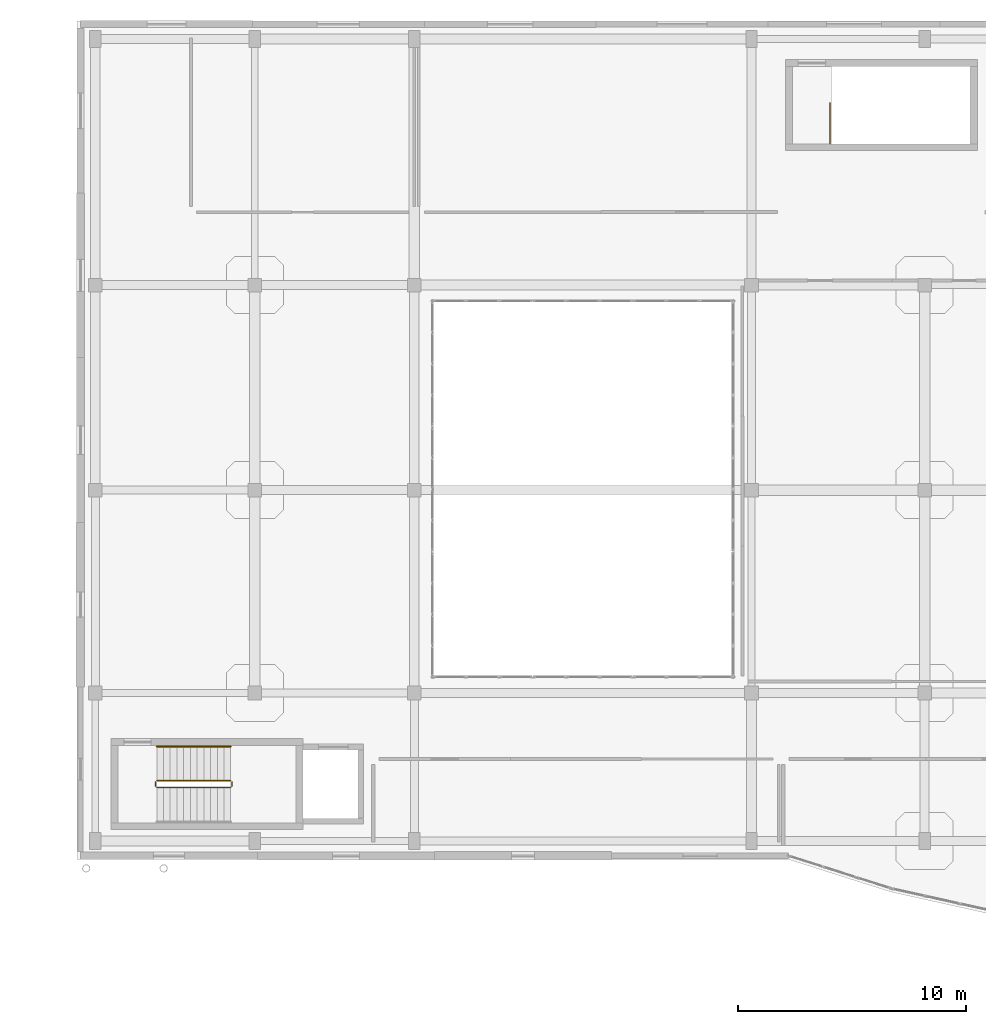
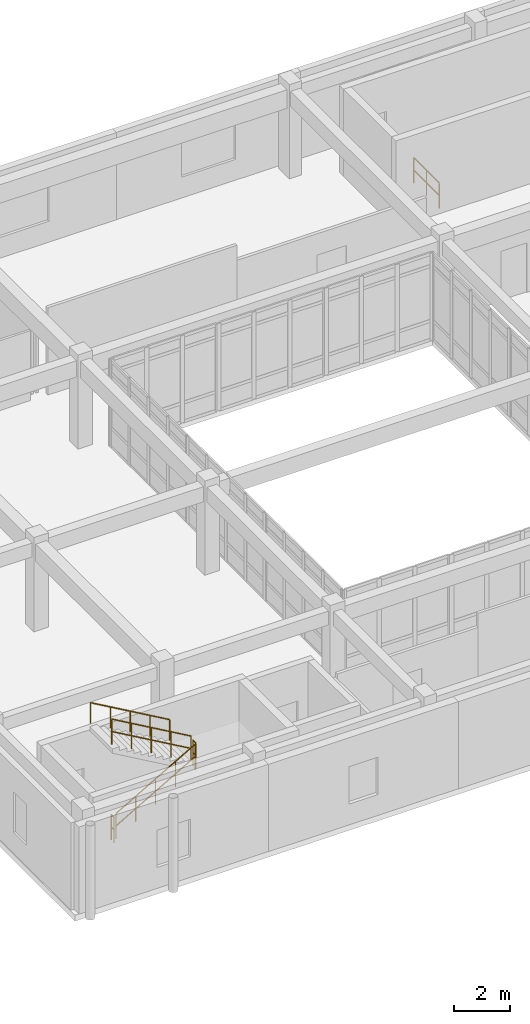
# One storey, part 90 of 91: 6 railings.
"""IFC4 building model written with IfcOpenShell, lengths in metres."""

from ifc_helpers import new_model, si_unit, direction, frame, origin, origin_2d, place, context, subcontext, project, spatial, circle, extrude, material, type_object, element, save


model = new_model("IFC4")

# Units and contexts
model_context = context("Model", 3, precision=1e-05, world=origin(), true_north=direction((0.0, 1.0)))
body_context = subcontext(model_context, "Body", "Model", "MODEL_VIEW")
ifc_project = project(units=[si_unit("LENGTHUNIT", "METRE"), si_unit("AREAUNIT", "SQUARE_METRE"), si_unit("VOLUMEUNIT", "CUBIC_METRE"), si_unit("PLANEANGLEUNIT", "RADIAN"), si_unit("MASSUNIT", "GRAM", prefix="KILO")], contexts=[model_context])

# Site, building, storey
site_placement = place(None, origin())
site = spatial("IfcSite", under=ifc_project, at=site_placement, CompositionType="ELEMENT")
building_placement = place(site_placement, origin())
building = spatial("IfcBuilding", under=site, at=building_placement, Name="Valcora Specialist Clinic", CompositionType="ELEMENT")
storey_placement = place(building_placement, frame((0.0, 0.0, 13.60009765625)))
storey = spatial("IfcBuildingStorey", under=building, at=storey_placement, Name="L03", CompositionType="ELEMENT", Elevation=13.60009765625)

# Railings
ifc_material = material(Name="Stainless Steel AISI 316", Category="steel")
railing_type_1 = type_object("IfcRailingType", Name="TY-RL-GRD112", PredefinedType="GUARDRAIL", material=ifc_material)
railing_1_placement = place(storey_placement, frame((64.699951171875, 77.14990234375, 0.169921875)))
element("IfcRailing", 1, at=railing_1_placement, inside=storey, type_object=railing_type_1, Name="L03 ST-V4A stair guard 1", PredefinedType="GUARDRAIL", context=body_context, shape_type="SweptSolid", body=[
    extrude(circle(Radius=0.02392578125, at=origin_2d()), frame((0.0, 0.0, 1.09619140625), z_axis=(0.866452428451, 0.0, 0.4992596411), x_axis=(0.0, 1.0, 0.0)), (0.0, 0.0, 1.0), 3.745361328125),
    extrude(circle(Radius=0.02392578125, at=origin_2d()), frame((0.0, 0.0, 0.56005859375), z_axis=(0.866452428451, 0.0, 0.4992596411), x_axis=(0.0, 1.0, 0.0)), (0.0, 0.0, 1.0), 3.745361328125),
    extrude(circle(Radius=0.02099609375, at=origin_2d()), origin(), (0.0, 0.0, 1.0), 1.072021484375),
    extrude(circle(Radius=0.02099609375, at=origin_2d()), frame((0.811279296875, 0.0, 0.467529296875)), (0.0, 0.0, 1.0), 1.072021484375),
    extrude(circle(Radius=0.02099609375, at=origin_2d()), frame((1.62255859375, 0.0, 0.93505859375)), (0.0, 0.0, 1.0), 1.072021484375),
    extrude(circle(Radius=0.02099609375, at=origin_2d()), frame((2.433837890625, 0.0, 1.40234375)), (0.0, 0.0, 1.0), 1.072021484375),
    extrude(circle(Radius=0.02099609375, at=origin_2d()), frame((3.2451171875, 0.0, 1.869873046875)), (0.0, 0.0, 1.0), 1.072021484375),
])
railing_2_placement = place(storey_placement, frame((67.9951171875, 77.199951171875, 2.039794921875)))
element("IfcRailing", 2, at=railing_2_placement, inside=storey, type_object=railing_type_1, Name="L03 ST-V4A stair guard 2", PredefinedType="GUARDRAIL", context=body_context, shape_type="SweptSolid", body=[
    extrude(circle(Radius=0.02392578125, at=origin_2d()), frame((0.0, 0.0, 1.09619140625), z_axis=(0.0, 1.0, 0.0), x_axis=(-1.0, 0.0, 0.0)), (0.0, 0.0, 1.0), 0.199951171875),
    extrude(circle(Radius=0.02392578125, at=origin_2d()), frame((0.0, 0.0, 0.56005859375), z_axis=(0.0, 1.0, 0.0), x_axis=(-1.0, 0.0, 0.0)), (0.0, 0.0, 1.0), 0.199951171875),
    extrude(circle(Radius=0.02099609375, at=origin_2d()), origin(), (0.0, 0.0, 1.0), 1.072021484375),
    extrude(circle(Radius=0.02099609375, at=origin_2d()), frame((0.0, 0.199951171875, 0.0)), (0.0, 0.0, 1.0), 1.072021484375),
])
railing_3_placement = place(storey_placement, frame((67.945068359375, 77.449951171875, 2.2099609375)))
element("IfcRailing", 3, at=railing_3_placement, inside=storey, type_object=railing_type_1, Name="L03 ST-V4A stair guard 3", PredefinedType="GUARDRAIL", context=body_context, shape_type="SweptSolid", body=[
    extrude(circle(Radius=0.02392578125, at=origin_2d()), frame((0.0, 0.0, 1.09619140625), z_axis=(-0.866452428451, 0.0, 0.4992596411), x_axis=(0.0, -1.0, 0.0)), (0.0, 0.0, 1.0), 3.745361328125),
    extrude(circle(Radius=0.02392578125, at=origin_2d()), frame((0.0, 0.0, 0.56005859375), z_axis=(-0.866452428451, 0.0, 0.4992596411), x_axis=(0.0, -1.0, 0.0)), (0.0, 0.0, 1.0), 3.745361328125),
    extrude(circle(Radius=0.02099609375, at=origin_2d()), origin(), (0.0, 0.0, 1.0), 1.072021484375),
    extrude(circle(Radius=0.02099609375, at=origin_2d()), frame((-0.811279296875, 0.0, 0.467529296875)), (0.0, 0.0, 1.0), 1.072021484375),
    extrude(circle(Radius=0.02099609375, at=origin_2d()), frame((-1.62255859375, 0.0, 0.93505859375)), (0.0, 0.0, 1.0), 1.072021484375),
    extrude(circle(Radius=0.02099609375, at=origin_2d()), frame((-2.433837890625, 0.0, 1.40234375)), (0.0, 0.0, 1.0), 1.072021484375),
    extrude(circle(Radius=0.02099609375, at=origin_2d()), frame((-3.2451171875, 0.0, 1.869873046875)), (0.0, 0.0, 1.0), 1.072021484375),
])
railing_4_placement = place(storey_placement, frame((64.64990234375, 77.199951171875, 0.0)))
element("IfcRailing", 4, at=railing_4_placement, inside=storey, type_object=railing_type_1, Name="L03 ST-V4A stair guard 4", PredefinedType="GUARDRAIL", context=body_context, shape_type="SweptSolid", body=[
    extrude(circle(Radius=0.02392578125, at=origin_2d()), frame((0.0, 0.0, 1.09619140625), z_axis=(0.0, 1.0, 0.0), x_axis=(-1.0, 0.0, 0.0)), (0.0, 0.0, 1.0), 0.199951171875),
    extrude(circle(Radius=0.02392578125, at=origin_2d()), frame((0.0, 0.0, 0.56005859375), z_axis=(0.0, 1.0, 0.0), x_axis=(-1.0, 0.0, 0.0)), (0.0, 0.0, 1.0), 0.199951171875),
    extrude(circle(Radius=0.02099609375, at=origin_2d()), origin(), (0.0, 0.0, 1.0), 1.072021484375),
    extrude(circle(Radius=0.02099609375, at=origin_2d()), frame((0.0, 0.199951171875, 0.0)), (0.0, 0.0, 1.0), 1.072021484375),
])
railing_5_placement = place(storey_placement, frame((94.25, 105.39990234375, 0.0)))
element("IfcRailing", 5, at=railing_5_placement, inside=storey, type_object=railing_type_1, Name="L03 ST-V4B top well guard 1", PredefinedType="GUARDRAIL", context=body_context, shape_type="SweptSolid", body=[
    extrude(circle(Radius=0.02392578125, at=origin_2d()), frame((0.0, 0.0, 1.09619140625), z_axis=(0.0, 1.0, 0.0), x_axis=(-1.0, 0.0, 0.0)), (0.0, 0.0, 1.0), 1.800048828125),
    extrude(circle(Radius=0.02392578125, at=origin_2d()), frame((0.0, 0.0, 0.56005859375), z_axis=(0.0, 1.0, 0.0), x_axis=(-1.0, 0.0, 0.0)), (0.0, 0.0, 1.0), 1.800048828125),
    extrude(circle(Radius=0.02099609375, at=origin_2d()), origin(), (0.0, 0.0, 1.0), 1.072021484375),
    extrude(circle(Radius=0.02099609375, at=origin_2d()), frame((0.0, 0.89990234375, 0.0)), (0.0, 0.0, 1.0), 1.072021484375),
    extrude(circle(Radius=0.02099609375, at=origin_2d()), frame((0.0, 1.800048828125, 0.0)), (0.0, 0.0, 1.0), 1.072021484375),
])
railing_type_2 = type_object("IfcRailingType", Name="TY-RL-HND092", PredefinedType="HANDRAIL", material=ifc_material)
railing_6_placement = place(storey_placement, frame((67.945068359375, 78.949951171875, 2.2099609375)))
element("IfcRailing", 6, at=railing_6_placement, inside=storey, type_object=railing_type_2, Name="L03 ST-V4A stair handrail 2", PredefinedType="HANDRAIL", context=body_context, shape_type="SweptSolid", body=[
    extrude(circle(Radius=0.02392578125, at=origin_2d()), frame((0.0, 0.0, 0.89599609375), z_axis=(-0.866452428451, 0.0, 0.4992596411), x_axis=(0.0, -1.0, 0.0)), (0.0, 0.0, 1.0), 3.745361328125),
    extrude(circle(Radius=0.02099609375, at=origin_2d()), origin(), (0.0, 0.0, 1.0), 0.871826171875),
    extrude(circle(Radius=0.02099609375, at=origin_2d()), frame((-0.811279296875, 0.0, 0.467529296875)), (0.0, 0.0, 1.0), 0.871826171875),
    extrude(circle(Radius=0.02099609375, at=origin_2d()), frame((-1.62255859375, 0.0, 0.93505859375)), (0.0, 0.0, 1.0), 0.871826171875),
    extrude(circle(Radius=0.02099609375, at=origin_2d()), frame((-2.433837890625, 0.0, 1.40234375)), (0.0, 0.0, 1.0), 0.871826171875),
    extrude(circle(Radius=0.02099609375, at=origin_2d()), frame((-3.2451171875, 0.0, 1.869873046875)), (0.0, 0.0, 1.0), 0.871826171875),
])

save(model, "model.ifc")
